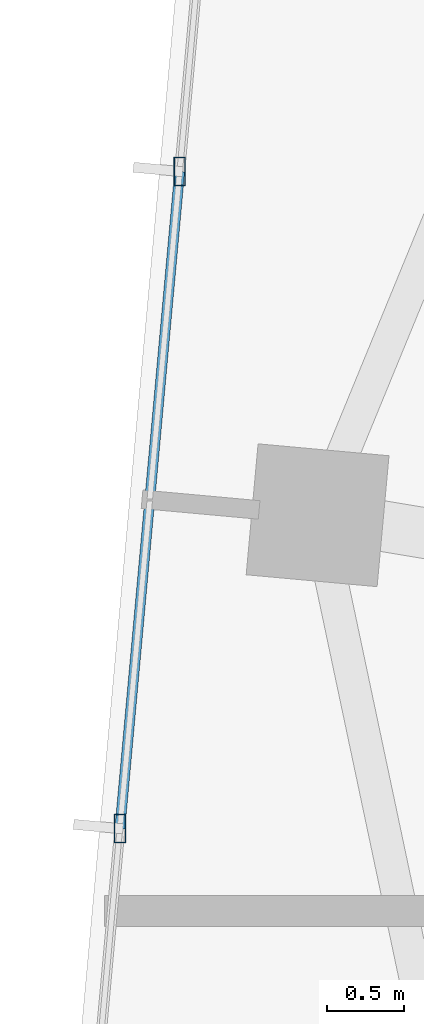
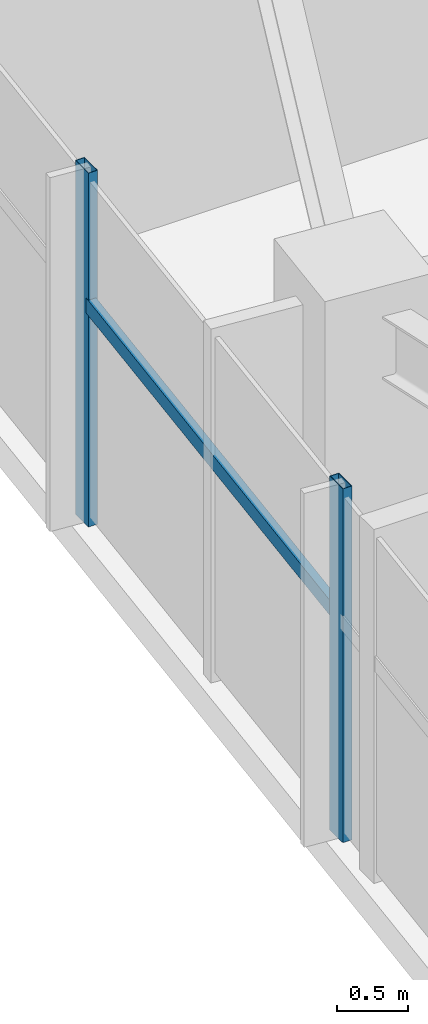
# One storey, part 4 of 22: 3 members, 1 element without a shape of its own.
"""IFC4 building model written with IfcOpenShell, lengths in metres."""

from ifc_helpers import new_model, si_unit, direction, frame, origin, origin_2d, place, context, subcontext, project, spatial, hollow_rectangle, extrude, source, transform, mapped, material, material_profile, profile_set, type_object, type_shapes, element, aggregate, save


model = new_model("IFC4")

# Units and contexts
model_context = context("Model", 3, precision=1e-05, world=origin(), true_north=direction((0.0, 1.0)))
body_context = subcontext(model_context, "Body", "Model", "MODEL_VIEW")
ifc_project = project(units=[si_unit("LENGTHUNIT", "METRE"), si_unit("AREAUNIT", "SQUARE_METRE"), si_unit("VOLUMEUNIT", "CUBIC_METRE"), si_unit("PLANEANGLEUNIT", "RADIAN"), si_unit("MASSUNIT", "GRAM", prefix="KILO")], contexts=[model_context])

# Site, building, storey
site_placement = place(None, origin())
site = spatial("IfcSite", under=ifc_project, at=site_placement, CompositionType="ELEMENT")
building_placement = place(site_placement, origin())
building = spatial("IfcBuilding", under=site, at=building_placement, Name="Astriad Promenade Condominiums", CompositionType="ELEMENT")
storey_placement = place(building_placement, frame((0.0, 0.0, 229.800048828125)))
storey = spatial("IfcBuildingStorey", under=building, at=storey_placement, Name="L66", CompositionType="ELEMENT", Elevation=229.800048828125)

# Curtain wall, members
ifc_material_1 = material(Name="Anodised aluminium Black Dark Glass Unitised", Category="aluminium")
curtain_wall_type = type_object("IfcCurtainWallType", Name="CW-B5-DARK", PredefinedType="USERDEFINED", material=ifc_material_1)
curtain_wall_placement = place(storey_placement, origin())
curtain_wall = element("IfcCurtainWall", 1, at=curtain_wall_placement, inside=storey, type_object=curtain_wall_type, Name="CW-L66-W", ObjectType="UNITISED_CURTAIN_WALL", PredefinedType="USERDEFINED")
ifc_material_2 = material(Name="Anodised aluminium 6063-T6 Black", Category="aluminium")
ifc_material_profile_1 = material_profile(ifc_material_2, hollow_rectangle(XDim=0.06494140625, YDim=0.1298828125, WallThickness=0.00390625, at=origin_2d()), Name="ALU-TRN-65X130")
ifc_profile_set_1 = profile_set([ifc_material_profile_1], Name="Anodised aluminium 6063-T6 Black")
member_type_1 = type_object("IfcMemberType", Name="TRN-ALU-TRN-65X130", PredefinedType="USERDEFINED", material=ifc_profile_set_1)
shared_shape_1 = source(origin(), body_context, "Body", "SweptSolid", [
    extrude(hollow_rectangle(XDim=0.06494140625, YDim=0.1298828125, WallThickness=0.00390625, at=origin_2d()), origin(), (0.0, 0.0, 1.0), 4.266845703125),
])
type_shapes(member_type_1, [shared_shape_1])
member_1_placement = place(storey_placement, frame((9.4326171875, 17.984375, 1.884765625), z_axis=(0.090577018386, 0.995889453574, 0.0), x_axis=(-0.995889453574, 0.090577018386, 0.0)))
member_1 = element("IfcMember", 2, at=member_1_placement, type_object=member_type_1, Name="CW-L66-W-TRN-01-0", ObjectType="TRANSOM", PredefinedType="USERDEFINED", context=body_context, shape_type="MappedRepresentation", body=[
    mapped(shared_shape_1, transform((0.0, 0.0, 0.0), scale=1.0)),
])
ifc_material_profile_2 = material_profile(ifc_material_2, hollow_rectangle(XDim=0.074951171875, YDim=0.18505859375, WallThickness=0.00439453125, at=origin_2d()), Name="ALU-MUL-75X185")
ifc_profile_set_2 = profile_set([ifc_material_profile_2], Name="Anodised aluminium 6063-T6 Black")
member_type_2 = type_object("IfcMemberType", Name="MUL-ALU-MUL-75X185", PredefinedType="MULLION", material=ifc_profile_set_2)
shared_shape_2 = source(origin(), body_context, "Body", "SweptSolid", [
    extrude(hollow_rectangle(XDim=0.074951171875, YDim=0.18505859375, WallThickness=0.00439453125, at=origin_2d()), origin(), (0.0, 0.0, 1.0), 3.0400390625),
])
type_shapes(member_type_2, [shared_shape_2])
member_2_placement = place(storey_placement, frame((9.4326171875, 17.984375, 0.0), z_axis=(0.0, 0.0, 1.0), x_axis=(1.0, 0.0, 0.0)))
member_2 = element("IfcMember", 3, at=member_2_placement, type_object=member_type_2, Name="CW-L66-W-MUL-01", PredefinedType="MULLION", context=body_context, shape_type="MappedRepresentation", body=[
    mapped(shared_shape_2, transform((0.0, 0.0, 0.0), scale=1.0)),
])
member_3_placement = place(storey_placement, frame((9.819091796875, 22.233642578125, 0.0), z_axis=(0.0, 0.0, 1.0), x_axis=(1.0, 0.0, 0.0)))
member_3 = element("IfcMember", 4, at=member_3_placement, type_object=member_type_2, Name="CW-L66-W-MUL-02", PredefinedType="MULLION", context=body_context, shape_type="MappedRepresentation", body=[
    mapped(shared_shape_2, transform((0.0, 0.0, 0.0), scale=1.0)),
])
aggregate(curtain_wall, [member_2, member_3, member_1])

save(model, "model.ifc")
